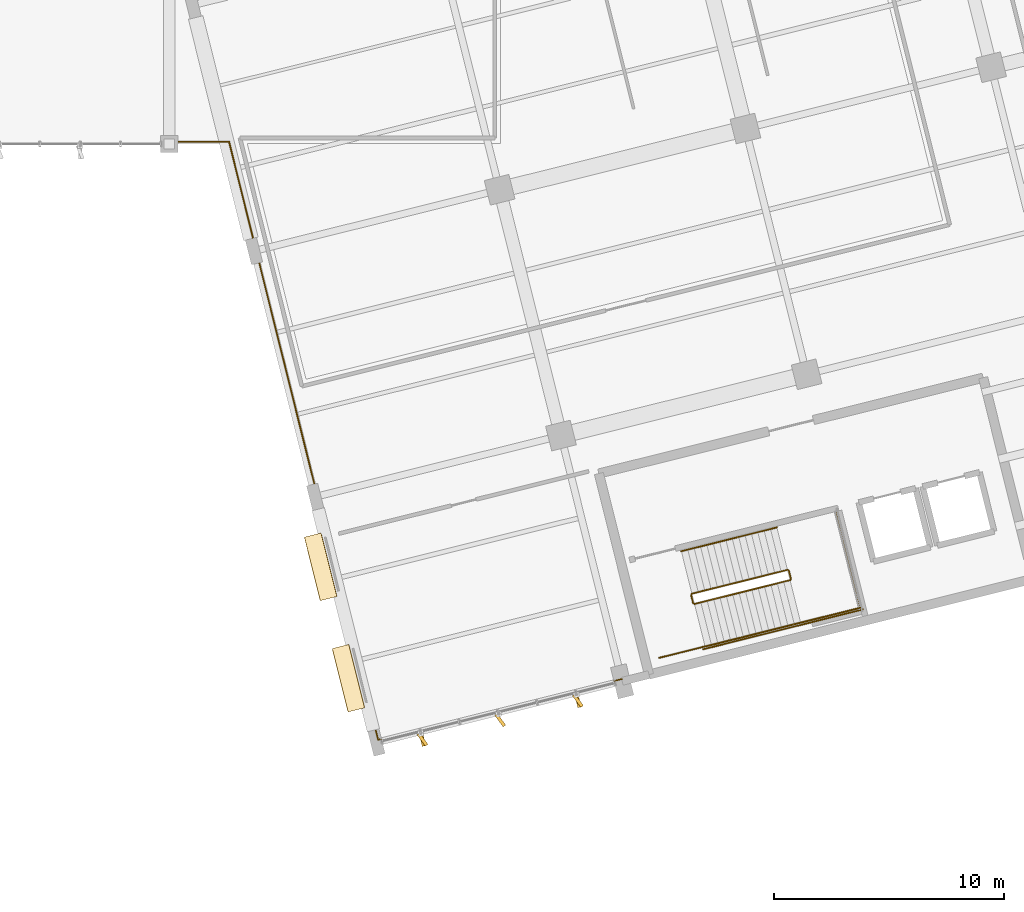
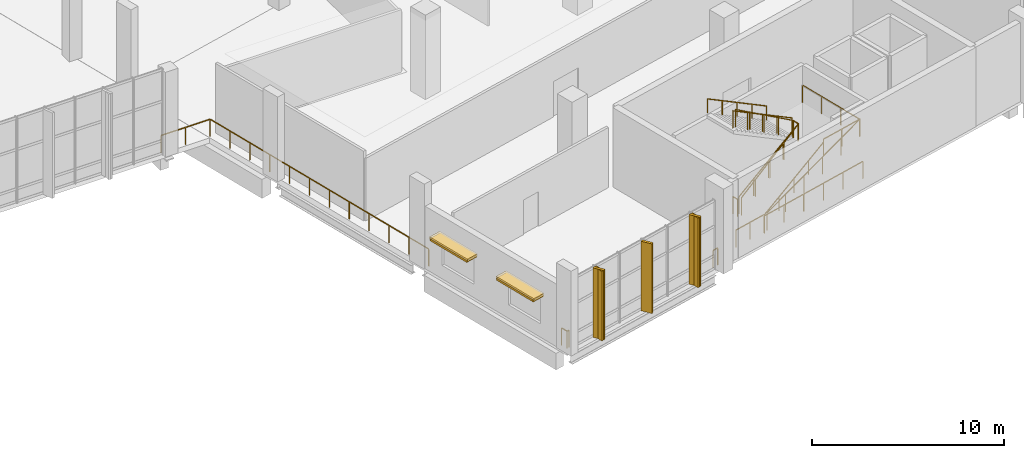
# One storey, part 166 of 176: 14 railings, 5 shading devices, 4 coverings.
"""IFC4 building model written with IfcOpenShell, lengths in metres."""

from ifc_helpers import new_model, si_unit, direction, frame, origin, origin_2d, place, context, subcontext, project, spatial, rectangle, extrude, material, layer, layer_set, type_object, element, save


model = new_model("IFC4")

# Units and contexts
model_context = context("Model", 3, precision=1e-05, world=origin(), true_north=direction((0.0, 1.0)))
body_context = subcontext(model_context, "Body", "Model", "MODEL_VIEW")
ifc_project = project(units=[si_unit("LENGTHUNIT", "METRE"), si_unit("AREAUNIT", "SQUARE_METRE"), si_unit("VOLUMEUNIT", "CUBIC_METRE"), si_unit("PLANEANGLEUNIT", "RADIAN"), si_unit("MASSUNIT", "GRAM", prefix="KILO")], contexts=[model_context])

# Site, building, storey
site_placement = place(None, origin())
site = spatial("IfcSite", under=ifc_project, at=site_placement, CompositionType="ELEMENT")
building_placement = place(site_placement, origin())
building = spatial("IfcBuilding", under=site, at=building_placement, Name="Khorjan Park Terminus", CompositionType="ELEMENT")
storey_placement = place(building_placement, frame((0.0, 0.0, 6.0)))
storey = spatial("IfcBuildingStorey", under=building, at=storey_placement, Name="L01", CompositionType="ELEMENT", Elevation=6.0)

# Coverings
ifc_material_1 = material(Name="Pigmented Precast GRC", Category="concrete")
ifc_layer_1 = layer(ifc_material_1, 0.16)
ifc_layer_set_1 = layer_set([ifc_layer_1], Name="Pigmented Precast GRC")
covering_type_1 = type_object("IfcCoveringType", Name="CV-FIN-GRC", PredefinedType="CLADDING", material=ifc_layer_set_1)
for number, where, z_axis, x_axis, name in (
    (1, (167.9974, 2.132, -0.02), (0.0, 0.0, 1.0), (-0.2419218956, 0.970295726276, 0.0), "Projecting desert-sandstone GRC facade fin CL-FN1 (CW-V5-S-L01-B01-1)"),
    (2, (174.7504, 3.8158, -0.02), (0.0, 0.0, 1.0), (-0.2419218956, 0.970295726276, 0.0), "Projecting desert-sandstone GRC facade fin CL-FN1 (CW-V5-S-L01-B01-5)"),
):
    element("IfcCovering", number, at=place(storey_placement, frame(where, z_axis=z_axis, x_axis=x_axis)), inside=storey, type_object=covering_type_1, Name=name, PredefinedType="CLADDING", context=body_context, shape_type="SweptSolid", body=[
        extrude(rectangle(XDim=0.58, YDim=0.16, at=origin_2d()), origin(), (0.0, 0.0, 1.0), 4.425),
    ])
ifc_layer_2 = layer(ifc_material_1, 0.18)
ifc_layer_set_2 = layer_set([ifc_layer_2], Name="Pigmented Precast GRC")
covering_type_2 = type_object("IfcCoveringType", Name="CV-HOOD-GRC", PredefinedType="CLADDING", material=ifc_layer_set_2)
for number, where, z_axis, x_axis, name in (
    (3, (163.5765, 9.6328, 2.73), (0.0, 0.0, 1.0), (0.241912511917, -0.970298065843, 0.0), "Projecting desert-sandstone GRC window eyebrow CL-HD1 (EW-V5-W-L01-B06-1)"),
    (4, (164.7825, 4.7959, 2.73), (0.0, 0.0, 1.0), (0.241912511917, -0.970298065843, 0.0), "Projecting desert-sandstone GRC window eyebrow CL-HD1 (EW-V5-W-L01-B06-2)"),
):
    element("IfcCovering", number, at=place(storey_placement, frame(where, z_axis=z_axis, x_axis=x_axis)), inside=storey, type_object=covering_type_2, Name=name, PredefinedType="CLADDING", context=body_context, shape_type="SweptSolid", body=[
        extrude(rectangle(XDim=2.84, YDim=0.74, at=origin_2d()), origin(), (0.0, 0.0, 1.0), 0.16),
    ])

# Railings
ifc_material_2 = material(Name="Steel S355", Category="steel")
railing_type_1 = type_object("IfcRailingType", Name="GR-112", PredefinedType="GUARDRAIL", material=ifc_material_2)
railing_1_placement = place(storey_placement, frame((179.8138, 8.0206, 0.1688)))
element("IfcRailing", 5, at=railing_1_placement, inside=storey, type_object=railing_type_1, Name="L01 ST-03 stair guard 1", PredefinedType="GUARDRAIL", context=body_context, shape_type="SweptSolid", body=[
    extrude(rectangle(XDim=0.048, YDim=0.048, at=origin_2d()), frame((0.0, 0.0, 1.096), z_axis=(0.8349160709, 0.208185557409, 0.509483982319), x_axis=(-0.241941153167, 0.970290924622, 0.0)), (0.0, 0.0, 1.0), 4.9682),
    extrude(rectangle(XDim=0.042, YDim=0.042, at=origin_2d()), origin(), (0.0, 0.0, 1.0), 1.072),
    extrude(rectangle(XDim=0.042, YDim=0.042, at=origin_2d()), frame((1.037, 0.2586, 0.6328)), (0.0, 0.0, 1.0), 1.072),
    extrude(rectangle(XDim=0.042, YDim=0.042, at=origin_2d()), frame((2.074, 0.5171, 1.2656)), (0.0, 0.0, 1.0), 1.072),
    extrude(rectangle(XDim=0.042, YDim=0.042, at=origin_2d()), frame((3.111, 0.7757, 1.8984)), (0.0, 0.0, 1.0), 1.072),
    extrude(rectangle(XDim=0.042, YDim=0.042, at=origin_2d()), frame((4.148, 1.0343, 2.5312)), (0.0, 0.0, 1.0), 1.072),
])
railing_2_placement = place(storey_placement, frame((183.9982, 9.1155, 2.7)))
element("IfcRailing", 6, at=railing_2_placement, inside=storey, type_object=railing_type_1, Name="L01 ST-03 stair guard 2", PredefinedType="GUARDRAIL", context=body_context, shape_type="SweptSolid", body=[
    extrude(rectangle(XDim=0.048, YDim=0.048, at=origin_2d()), frame((0.0, 0.0, 1.096), z_axis=(-0.241947338122, 0.970289382388, 0.0), x_axis=(-0.970289382388, -0.241947338122, 0.0)), (0.0, 0.0, 1.0), 0.36),
    extrude(rectangle(XDim=0.042, YDim=0.042, at=origin_2d()), origin(), (0.0, 0.0, 1.0), 1.072),
    extrude(rectangle(XDim=0.042, YDim=0.042, at=origin_2d()), frame((-0.0871, 0.3493, 0.0)), (0.0, 0.0, 1.0), 1.072),
])
railing_3_placement = place(storey_placement, frame((184.4214, 7.2113, 2.7)))
element("IfcRailing", 7, at=railing_3_placement, inside=storey, type_object=railing_type_1, Name="L01 ST-03 stair guard 3", PredefinedType="GUARDRAIL", context=body_context, shape_type="SweptSolid", body=[
    extrude(rectangle(XDim=0.048, YDim=0.048, at=origin_2d()), frame((0.0, 0.0, 1.096), z_axis=(0.970299010002, 0.241908724911, 0.0), x_axis=(-0.241908724911, 0.970299010002, 0.0)), (0.0, 0.0, 1.0), 2.6651),
    extrude(rectangle(XDim=0.042, YDim=0.042, at=origin_2d()), origin(), (0.0, 0.0, 1.0), 1.072),
    extrude(rectangle(XDim=0.042, YDim=0.042, at=origin_2d()), frame((1.2929, 0.3224, 0.0)), (0.0, 0.0, 1.0), 1.072),
    extrude(rectangle(XDim=0.042, YDim=0.042, at=origin_2d()), frame((2.5859, 0.6447, 0.0)), (0.0, 0.0, 1.0), 1.072),
])
railing_4_placement = place(storey_placement, frame((183.8505, 9.5012, 2.8688)))
element("IfcRailing", 8, at=railing_4_placement, inside=storey, type_object=railing_type_1, Name="L01 ST-03 stair guard 5", PredefinedType="GUARDRAIL", context=body_context, shape_type="SweptSolid", body=[
    extrude(rectangle(XDim=0.048, YDim=0.048, at=origin_2d()), frame((0.0, 0.0, 1.096), z_axis=(-0.834919569378, -0.208166301507, 0.509486117167), x_axis=(0.241919130453, -0.9702964157, 0.0)), (0.0, 0.0, 1.0), 4.9681),
    extrude(rectangle(XDim=0.042, YDim=0.042, at=origin_2d()), origin(), (0.0, 0.0, 1.0), 1.072),
    extrude(rectangle(XDim=0.042, YDim=0.042, at=origin_2d()), frame((-1.037, -0.2586, 0.6328)), (0.0, 0.0, 1.0), 1.072),
    extrude(rectangle(XDim=0.042, YDim=0.042, at=origin_2d()), frame((-2.074, -0.5171, 1.2656)), (0.0, 0.0, 1.0), 1.072),
    extrude(rectangle(XDim=0.042, YDim=0.042, at=origin_2d()), frame((-3.111, -0.7757, 1.8984)), (0.0, 0.0, 1.0), 1.072),
    extrude(rectangle(XDim=0.042, YDim=0.042, at=origin_2d()), frame((-4.148, -1.0342, 2.5312)), (0.0, 0.0, 1.0), 1.072),
])
railing_5_placement = place(storey_placement, frame((179.7532, 8.0571, 0.0)))
element("IfcRailing", 9, at=railing_5_placement, inside=storey, type_object=railing_type_1, Name="L01 ST-03 stair guard 6", PredefinedType="GUARDRAIL", context=body_context, shape_type="SweptSolid", body=[
    extrude(rectangle(XDim=0.048, YDim=0.048, at=origin_2d()), frame((0.0, 0.0, 1.096), z_axis=(-0.241947338122, 0.970289382388, 0.0), x_axis=(-0.970289382388, -0.241947338122, 0.0)), (0.0, 0.0, 1.0), 0.36),
    extrude(rectangle(XDim=0.042, YDim=0.042, at=origin_2d()), origin(), (0.0, 0.0, 1.0), 1.072),
    extrude(rectangle(XDim=0.042, YDim=0.042, at=origin_2d()), frame((-0.0871, 0.3493, 0.0)), (0.0, 0.0, 1.0), 1.072),
])
railing_6_placement = place(storey_placement, frame((178.2746, 5.6787, 0.0)))
element("IfcRailing", 10, at=railing_6_placement, inside=storey, type_object=railing_type_1, Name="L01 ST-03 stair guard 7", PredefinedType="GUARDRAIL", context=body_context, shape_type="SweptSolid", body=[
    extrude(rectangle(XDim=0.048, YDim=0.048, at=origin_2d()), frame((0.0, 0.0, 1.096), z_axis=(0.97029080484, 0.241941633546, 0.0), x_axis=(-0.241941633546, 0.97029080484, 0.0)), (0.0, 0.0, 1.0), 2.06),
    extrude(rectangle(XDim=0.042, YDim=0.042, at=origin_2d()), origin(), (0.0, 0.0, 1.0), 1.072),
    extrude(rectangle(XDim=0.042, YDim=0.042, at=origin_2d()), frame((0.9994, 0.2492, 0.0)), (0.0, 0.0, 1.0), 1.072),
    extrude(rectangle(XDim=0.042, YDim=0.042, at=origin_2d()), frame((1.9988, 0.4984, 0.0)), (0.0, 0.0, 1.0), 1.072),
])
railing_7_placement = place(storey_placement, frame((180.2006, 6.0559, 0.0)))
element("IfcRailing", 11, at=railing_7_placement, inside=storey, type_object=railing_type_1, Name="L01 ST-03 stair guard 8", PredefinedType="GUARDRAIL", context=body_context, shape_type="SweptSolid", body=[
    extrude(rectangle(XDim=0.048, YDim=0.048, at=origin_2d()), frame((0.0, 0.0, 1.096), z_axis=(0.970296366402, 0.241919328178, 0.0), x_axis=(-0.241919328178, 0.970296366402, 0.0)), (0.0, 0.0, 1.0), 7.14),
    extrude(rectangle(XDim=0.042, YDim=0.042, at=origin_2d()), origin(), (0.0, 0.0, 1.0), 1.072),
    extrude(rectangle(XDim=0.042, YDim=0.042, at=origin_2d()), frame((1.3856, 0.3455, 0.0)), (0.0, 0.0, 1.0), 1.072),
    extrude(rectangle(XDim=0.042, YDim=0.042, at=origin_2d()), frame((2.7712, 0.6909, 0.0)), (0.0, 0.0, 1.0), 1.072),
    extrude(rectangle(XDim=0.042, YDim=0.042, at=origin_2d()), frame((4.1567, 1.0364, 0.0)), (0.0, 0.0, 1.0), 1.072),
    extrude(rectangle(XDim=0.042, YDim=0.042, at=origin_2d()), frame((5.5423, 1.3818, 0.0)), (0.0, 0.0, 1.0), 1.072),
    extrude(rectangle(XDim=0.042, YDim=0.042, at=origin_2d()), frame((6.9279, 1.7273, 0.0)), (0.0, 0.0, 1.0), 1.072),
])
railing_8_placement = place(storey_placement, frame((179.986, 8.0739, 0.0)))
element("IfcRailing", 12, at=railing_8_placement, inside=storey, type_object=railing_type_1, Name="Core K3 stair well slot guard GR-112 (L01)", PredefinedType="GUARDRAIL", context=body_context, shape_type="SweptSolid", body=[
    extrude(rectangle(XDim=0.048, YDim=0.048, at=origin_2d()), frame((0.0, 0.0, 1.096), z_axis=(0.812440142396, 0.202553181406, 0.546729570926), x_axis=(-0.241909643258, 0.970298781046, 0.0)), (0.0, 0.0, 1.0), 4.9385),
    extrude(rectangle(XDim=0.048, YDim=0.048, at=origin_2d()), frame((4.0122, 1.0003, 3.796), z_axis=(-0.242000927221, 0.970276018061, 0.0), x_axis=(-0.970276018061, -0.242000927221, 0.0)), (0.0, 0.0, 1.0), 0.4401),
    extrude(rectangle(XDim=0.048, YDim=0.048, at=origin_2d()), frame((3.9057, 1.4273, 3.796), z_axis=(-0.812436809987, -0.202572599749, 0.54672732839), x_axis=(0.24193241153, -0.9702931043, 0.0)), (0.0, 0.0, 1.0), 4.9385),
    extrude(rectangle(XDim=0.042, YDim=0.042, at=origin_2d()), origin(), (0.0, 0.0, 1.0), 1.072),
    extrude(rectangle(XDim=0.042, YDim=0.042, at=origin_2d()), frame((1.0031, 0.2501, 0.675)), (0.0, 0.0, 1.0), 1.072),
    extrude(rectangle(XDim=0.042, YDim=0.042, at=origin_2d()), frame((2.0061, 0.5001, 1.35)), (0.0, 0.0, 1.0), 1.072),
    extrude(rectangle(XDim=0.042, YDim=0.042, at=origin_2d()), frame((3.0092, 0.7502, 2.025)), (0.0, 0.0, 1.0), 1.072),
    extrude(rectangle(XDim=0.042, YDim=0.042, at=origin_2d()), frame((4.0122, 1.0003, 2.7)), (0.0, 0.0, 1.0), 1.072),
    extrude(rectangle(XDim=0.042, YDim=0.042, at=origin_2d()), frame((3.9057, 1.4273, 2.7)), (0.0, 0.0, 1.0), 1.072),
    extrude(rectangle(XDim=0.042, YDim=0.042, at=origin_2d()), frame((2.9027, 1.1772, 3.375)), (0.0, 0.0, 1.0), 1.072),
    extrude(rectangle(XDim=0.042, YDim=0.042, at=origin_2d()), frame((1.8996, 0.9271, 4.05)), (0.0, 0.0, 1.0), 1.072),
    extrude(rectangle(XDim=0.042, YDim=0.042, at=origin_2d()), frame((0.8966, 0.677, 4.725)), (0.0, 0.0, 1.0), 1.072),
    extrude(rectangle(XDim=0.042, YDim=0.042, at=origin_2d()), frame((-0.1065, 0.4269, 5.4)), (0.0, 0.0, 1.0), 1.072),
])
railing_9_placement = place(storey_placement, frame((180.4505, 6.2109, 0.0)))
element("IfcRailing", 13, at=railing_9_placement, inside=storey, type_object=railing_type_1, Name="Core K3 stair side & landing guard GR-112 (L01)", PredefinedType="GUARDRAIL", context=body_context, shape_type="SweptSolid", body=[
    extrude(rectangle(XDim=0.048, YDim=0.048, at=origin_2d()), frame((0.0, 0.0, 1.096), z_axis=(0.900342256578, 0.224478008484, 0.372818246237), x_axis=(-0.241919330403, 0.970296365848, 0.0)), (0.0, 0.0, 1.0), 7.2421),
    extrude(rectangle(XDim=0.048, YDim=0.048, at=origin_2d()), frame((6.5204, 1.6257, 3.796), z_axis=(-0.2419363556, 0.970292120879, 0.0), x_axis=(-0.970292120879, -0.2419363556, 0.0)), (0.0, 0.0, 1.0), 4.2801),
    extrude(rectangle(XDim=0.042, YDim=0.042, at=origin_2d()), origin(), (0.0, 0.0, 1.0), 1.072),
    extrude(rectangle(XDim=0.042, YDim=0.042, at=origin_2d()), frame((1.3041, 0.3251, 0.54)), (0.0, 0.0, 1.0), 1.072),
    extrude(rectangle(XDim=0.042, YDim=0.042, at=origin_2d()), frame((2.6082, 0.6503, 1.08)), (0.0, 0.0, 1.0), 1.072),
    extrude(rectangle(XDim=0.042, YDim=0.042, at=origin_2d()), frame((3.9122, 0.9754, 1.62)), (0.0, 0.0, 1.0), 1.072),
    extrude(rectangle(XDim=0.042, YDim=0.042, at=origin_2d()), frame((5.2163, 1.3006, 2.16)), (0.0, 0.0, 1.0), 1.072),
    extrude(rectangle(XDim=0.042, YDim=0.042, at=origin_2d()), frame((6.5204, 1.6257, 2.7)), (0.0, 0.0, 1.0), 1.072),
    extrude(rectangle(XDim=0.042, YDim=0.042, at=origin_2d()), frame((6.1752, 3.01, 2.7)), (0.0, 0.0, 1.0), 1.072),
    extrude(rectangle(XDim=0.042, YDim=0.042, at=origin_2d()), frame((5.8301, 4.3943, 2.7)), (0.0, 0.0, 1.0), 1.072),
    extrude(rectangle(XDim=0.042, YDim=0.042, at=origin_2d()), frame((5.4849, 5.7786, 2.7)), (0.0, 0.0, 1.0), 1.072),
])
railing_10_placement = place(storey_placement, frame((166.199, 2.1527, 0.0)))
element("IfcRailing", 14, at=railing_10_placement, inside=storey, type_object=railing_type_1, Name="Perimeter safety guard GR-112 (L01-26)", PredefinedType="GUARDRAIL", context=body_context, shape_type="SweptSolid", body=[
    extrude(rectangle(XDim=0.048, YDim=0.048, at=origin_2d()), frame((0.0, 0.0, 1.096), z_axis=(-0.970232880422, -0.242173817221, 0.0), x_axis=(0.242173817221, -0.970232880422, 0.0)), (0.0, 0.0, 1.0), 0.1301),
    extrude(rectangle(XDim=0.048, YDim=0.048, at=origin_2d()), frame((-0.1262, -0.0315, 1.096), z_axis=(-0.241911944415, 0.970298207331, 0.0), x_axis=(-0.970298207331, -0.241911944415, 0.0)), (0.0, 0.0, 1.0), 0.415),
    extrude(rectangle(XDim=0.042, YDim=0.042, at=origin_2d()), origin(), (0.0, 0.0, 1.0), 1.072),
    extrude(rectangle(XDim=0.042, YDim=0.042, at=origin_2d()), frame((-0.1262, -0.0315, 0.0)), (0.0, 0.0, 1.0), 1.072),
    extrude(rectangle(XDim=0.042, YDim=0.042, at=origin_2d()), frame((-0.2266, 0.3712, 0.0)), (0.0, 0.0, 1.0), 1.072),
])
railing_11_placement = place(storey_placement, frame((176.6491, 4.7582, 0.0)))
element("IfcRailing", 15, at=railing_11_placement, inside=storey, type_object=railing_type_1, Name="Perimeter safety guard GR-112 (L01-28)", PredefinedType="GUARDRAIL", context=body_context, shape_type="SweptSolid", body=[
    extrude(rectangle(XDim=0.048, YDim=0.048, at=origin_2d()), frame((0.0, 0.0, 1.096), z_axis=(-0.970302565874, -0.24189446182, 0.0), x_axis=(0.24189446182, -0.970302565874, 0.0)), (0.0, 0.0, 1.0), 0.3303),
    extrude(rectangle(XDim=0.042, YDim=0.042, at=origin_2d()), origin(), (0.0, 0.0, 1.0), 1.072),
    extrude(rectangle(XDim=0.042, YDim=0.042, at=origin_2d()), frame((-0.3205, -0.0799, 0.0)), (0.0, 0.0, 1.0), 1.072),
])
ifc_material_3 = material(Name="Anodized Bronze Aluminium & Laminated Glass", Category="aluminium")
railing_type_2 = type_object("IfcRailingType", Name="GR-BAL", PredefinedType="BALUSTRADE", material=ifc_material_3)
railing_12_placement = place(storey_placement, frame((163.5606, 12.1975, 0.0)))
element("IfcRailing", 16, at=railing_12_placement, inside=storey, type_object=railing_type_2, Name="Perimeter safety guard GB-112 (L01-24)", PredefinedType="BALUSTRADE", context=body_context, shape_type="SweptSolid", body=[
    extrude(rectangle(XDim=0.048, YDim=0.048, at=origin_2d()), frame((0.0, 0.0, 1.096), z_axis=(-0.241925424673, 0.970294846372, 0.0), x_axis=(-0.970294846372, -0.241925424673, 0.0)), (0.0, 0.0, 1.0), 16.3893),
    extrude(rectangle(XDim=0.048, YDim=0.048, at=origin_2d()), frame((-3.965, 15.9025, 1.096), z_axis=(-1.0, 0.0, 0.0), x_axis=(0.0, -1.0, 0.0)), (0.0, 0.0, 1.0), 2.9506),
    extrude(rectangle(XDim=0.042, YDim=0.042, at=origin_2d()), origin(), (0.0, 0.0, 1.0), 1.072),
    extrude(rectangle(XDim=0.042, YDim=0.042, at=origin_2d()), frame((-0.3605, 1.4457, 0.0)), (0.0, 0.0, 1.0), 1.072),
    extrude(rectangle(XDim=0.042, YDim=0.042, at=origin_2d()), frame((-0.7209, 2.8914, 0.0)), (0.0, 0.0, 1.0), 1.072),
    extrude(rectangle(XDim=0.042, YDim=0.042, at=origin_2d()), frame((-1.0814, 4.337, 0.0)), (0.0, 0.0, 1.0), 1.072),
    extrude(rectangle(XDim=0.042, YDim=0.042, at=origin_2d()), frame((-1.4418, 5.7827, 0.0)), (0.0, 0.0, 1.0), 1.072),
    extrude(rectangle(XDim=0.042, YDim=0.042, at=origin_2d()), frame((-1.8023, 7.2284, 0.0)), (0.0, 0.0, 1.0), 1.072),
    extrude(rectangle(XDim=0.042, YDim=0.042, at=origin_2d()), frame((-2.1627, 8.6741, 0.0)), (0.0, 0.0, 1.0), 1.072),
    extrude(rectangle(XDim=0.042, YDim=0.042, at=origin_2d()), frame((-2.5232, 10.1198, 0.0)), (0.0, 0.0, 1.0), 1.072),
    extrude(rectangle(XDim=0.042, YDim=0.042, at=origin_2d()), frame((-2.8836, 11.5655, 0.0)), (0.0, 0.0, 1.0), 1.072),
    extrude(rectangle(XDim=0.042, YDim=0.042, at=origin_2d()), frame((-3.2441, 13.0111, 0.0)), (0.0, 0.0, 1.0), 1.072),
    extrude(rectangle(XDim=0.042, YDim=0.042, at=origin_2d()), frame((-3.6045, 14.4568, 0.0)), (0.0, 0.0, 1.0), 1.072),
    extrude(rectangle(XDim=0.042, YDim=0.042, at=origin_2d()), frame((-3.965, 15.9025, 0.0)), (0.0, 0.0, 1.0), 1.072),
    extrude(rectangle(XDim=0.042, YDim=0.042, at=origin_2d()), frame((-5.4403, 15.9025, 0.0)), (0.0, 0.0, 1.0), 1.072),
    extrude(rectangle(XDim=0.042, YDim=0.042, at=origin_2d()), frame((-6.9156, 15.9025, 0.0)), (0.0, 0.0, 1.0), 1.072),
])
railing_type_3 = type_object("IfcRailingType", Name="HR-92", PredefinedType="HANDRAIL", material=ifc_material_2)
railing_13_placement = place(storey_placement, frame((180.2734, 6.1771, 0.1688)))
element("IfcRailing", 17, at=railing_13_placement, inside=storey, type_object=railing_type_3, Name="L01 ST-03 stair handrail 1", PredefinedType="HANDRAIL", context=body_context, shape_type="SweptSolid", body=[
    extrude(rectangle(XDim=0.048, YDim=0.048, at=origin_2d()), frame((0.0, 0.0, 0.896), z_axis=(0.834919569378, 0.208166301507, 0.509486117167), x_axis=(-0.241919130453, 0.9702964157, 0.0)), (0.0, 0.0, 1.0), 4.9681),
    extrude(rectangle(XDim=0.042, YDim=0.042, at=origin_2d()), origin(), (0.0, 0.0, 1.0), 0.872),
    extrude(rectangle(XDim=0.042, YDim=0.042, at=origin_2d()), frame((1.037, 0.2585, 0.6328)), (0.0, 0.0, 1.0), 0.872),
    extrude(rectangle(XDim=0.042, YDim=0.042, at=origin_2d()), frame((2.074, 0.5171, 1.2656)), (0.0, 0.0, 1.0), 0.872),
    extrude(rectangle(XDim=0.042, YDim=0.042, at=origin_2d()), frame((3.111, 0.7756, 1.8984)), (0.0, 0.0, 1.0), 0.872),
    extrude(rectangle(XDim=0.042, YDim=0.042, at=origin_2d()), frame((4.148, 1.0342, 2.5312)), (0.0, 0.0, 1.0), 0.872),
])
railing_14_placement = place(storey_placement, frame((183.3908, 11.3447, 2.8688)))
element("IfcRailing", 18, at=railing_14_placement, inside=storey, type_object=railing_type_3, Name="L01 ST-03 stair handrail 2", PredefinedType="HANDRAIL", context=body_context, shape_type="SweptSolid", body=[
    extrude(rectangle(XDim=0.048, YDim=0.048, at=origin_2d()), frame((0.0, 0.0, 0.896), z_axis=(-0.834919569378, -0.208166301507, 0.509486117167), x_axis=(0.241919130453, -0.9702964157, 0.0)), (0.0, 0.0, 1.0), 4.9681),
    extrude(rectangle(XDim=0.042, YDim=0.042, at=origin_2d()), origin(), (0.0, 0.0, 1.0), 0.872),
    extrude(rectangle(XDim=0.042, YDim=0.042, at=origin_2d()), frame((-1.037, -0.2586, 0.6328)), (0.0, 0.0, 1.0), 0.872),
    extrude(rectangle(XDim=0.042, YDim=0.042, at=origin_2d()), frame((-2.074, -0.5171, 1.2656)), (0.0, 0.0, 1.0), 0.872),
    extrude(rectangle(XDim=0.042, YDim=0.042, at=origin_2d()), frame((-3.111, -0.7757, 1.8984)), (0.0, 0.0, 1.0), 0.872),
    extrude(rectangle(XDim=0.042, YDim=0.042, at=origin_2d()), frame((-4.148, -1.0342, 2.5312)), (0.0, 0.0, 1.0), 0.872),
])

# Shading devices
ifc_material_4 = material(Name="Anodized Bronze Aluminium", Category="aluminium")
shading_device_type_1 = type_object("IfcShadingDeviceType", Name="SD-FIN-620", PredefinedType="JALOUSIE", material=ifc_material_4)
for number, where, z_axis, x_axis, name in (
    (19, (167.9974, 2.132, -0.02), (0.0, 0.0, 1.0), (-0.587785252292, 0.809016994375, 0.0), "Angled solar brise-soleil fin SF-62 (CW-V5-S-L01-B01-1)"),
    (20, (171.3739, 2.9739, -0.02), (0.0, 0.0, 1.0), (-0.587785252292, 0.809016994375, 0.0), "Angled solar brise-soleil fin SF-62 (CW-V5-S-L01-B01-3)"),
    (21, (174.7504, 3.8158, -0.02), (0.0, 0.0, 1.0), (-0.587785252292, 0.809016994375, 0.0), "Angled solar brise-soleil fin SF-62 (CW-V5-S-L01-B01-5)"),
):
    element("IfcShadingDevice", number, at=place(storey_placement, frame(where, z_axis=z_axis, x_axis=x_axis)), inside=storey, type_object=shading_device_type_1, Name=name, PredefinedType="JALOUSIE", context=body_context, shape_type="SweptSolid", body=[
        extrude(rectangle(XDim=0.62, YDim=0.14, at=origin_2d()), origin(), (0.0, 0.0, 1.0), 4.425),
    ])
shading_device_type_2 = type_object("IfcShadingDeviceType", Name="SD-SUN-750", PredefinedType="SHUTTER", material=ifc_material_4)
for number, where, z_axis, x_axis, name in (
    (22, (163.5765, 9.6328, 2.66), (0.0, 0.0, 1.0), (0.241912511917, -0.970298065843, 0.0), "Projecting solar overhang hood SH-75 (EW-V5-W-L01-B06-1)"),
    (23, (164.7825, 4.7959, 2.66), (0.0, 0.0, 1.0), (0.241912511917, -0.970298065843, 0.0), "Projecting solar overhang hood SH-75 (EW-V5-W-L01-B06-2)"),
):
    element("IfcShadingDevice", number, at=place(storey_placement, frame(where, z_axis=z_axis, x_axis=x_axis)), inside=storey, type_object=shading_device_type_2, Name=name, PredefinedType="SHUTTER", context=body_context, shape_type="SweptSolid", body=[
        extrude(rectangle(XDim=2.76, YDim=0.76, at=origin_2d()), origin(), (0.0, 0.0, 1.0), 0.14),
    ])

save(model, "model.ifc")
